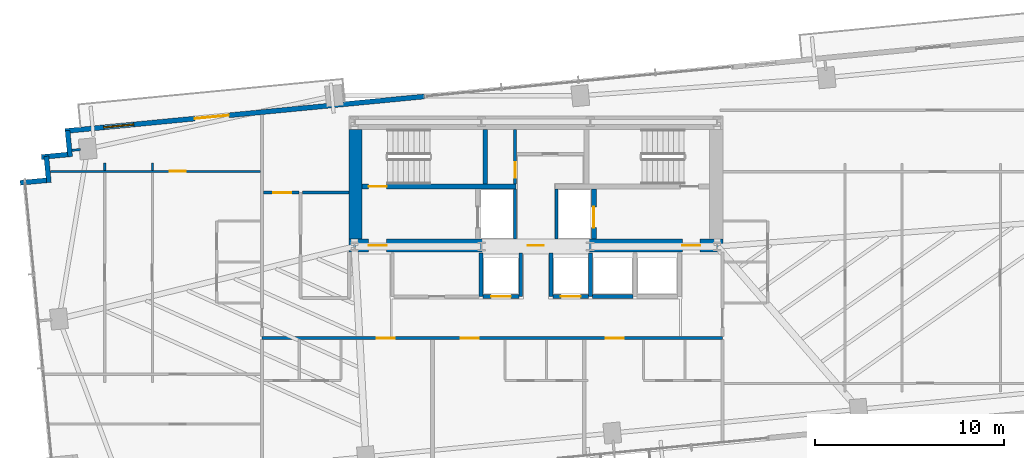
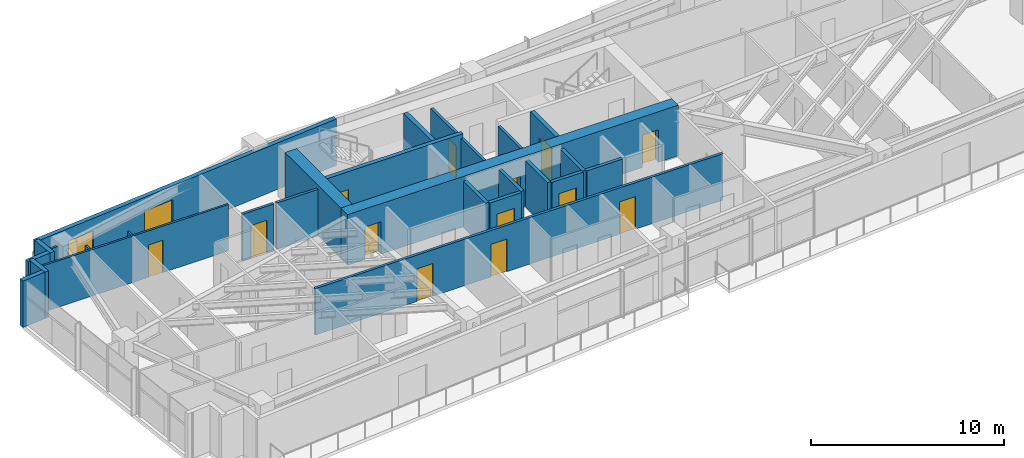
# One storey, part 20 of 25: 27 walls, 14 doors, 1 window, 15 openings.
"""IFC4 building model written with IfcOpenShell, lengths in metres."""

from ifc_helpers import new_model, si_unit, direction, frame, frame_2d, origin, place, context, subcontext, project, spatial, rectangle, extrude, source, transform, mapped, material, layer, layer_set, type_object, type_shapes, element, fill, save


model = new_model("IFC4")

# Units and contexts
model_context = context("Model", 3, precision=1e-05, world=origin(), true_north=direction((0.0, 1.0)))
body_context = subcontext(model_context, "Body", "Model", "MODEL_VIEW")
ifc_project = project(units=[si_unit("LENGTHUNIT", "METRE"), si_unit("AREAUNIT", "SQUARE_METRE"), si_unit("VOLUMEUNIT", "CUBIC_METRE"), si_unit("PLANEANGLEUNIT", "RADIAN"), si_unit("MASSUNIT", "GRAM", prefix="KILO")], contexts=[model_context])

# Site, building, storey
site_placement = place(None, origin())
site = spatial("IfcSite", under=ifc_project, at=site_placement, CompositionType="ELEMENT")
building_placement = place(site_placement, origin())
building = spatial("IfcBuilding", under=site, at=building_placement, Name="Astriad Promenade Condominiums", CompositionType="ELEMENT")
storey_placement = place(building_placement, frame((0.0, 0.0, 103.39990234375)))
storey = spatial("IfcBuildingStorey", under=building, at=storey_placement, Name="L29", CompositionType="ELEMENT", Elevation=103.39990234375)

# Wall, openings, doors
ifc_material_1 = material(Name="Concrete C60/75", Category="concrete")
ifc_layer_1 = layer(ifc_material_1, 0.699951171875)
ifc_layer_set_1 = layer_set([ifc_layer_1], Name="Concrete C60/75")
wall_type_1 = type_object("IfcWallType", Name="CW-SHEAR-700", PredefinedType="SHEAR", material=ifc_layer_set_1)
wall_1_placement = place(storey_placement, frame((26.10009765625, 17.449951171875, 0.0), z_axis=(0.0, 0.0, 1.0), x_axis=(1.0, 0.0, 0.0)))
wall_1 = element("IfcWall", 1, at=wall_1_placement, inside=storey, type_object=wall_type_1, Name="CW-CORE-S-L29", PredefinedType="SHEAR", context=body_context, shape_type="SweptSolid", body=[
    extrude(rectangle(XDim=19.7998046875, YDim=0.699951171875, at=frame_2d((9.89990234375, 0.0))), origin(), (0.0, 0.0, 1.0), 3.2001953125),
])
opening_1_placement = place(wall_1_placement, frame((1.050048828125, 0.0, 0.0)))
opening_1 = element("IfcOpeningElement", 2, at=opening_1_placement, cuts=wall_1, Name="Opening FD90-ST-095", PredefinedType="OPENING", context=body_context, shape_type="SweptSolid", body=[
    extrude(rectangle(XDim=0.949951171875, YDim=2.06005859375, at=frame_2d((0.47509765625, 1.030029296875))), frame((0.0, 0.35986328125, 0.0), z_axis=(0.0, -1.0, 0.0), x_axis=(1.0, 0.0, 0.0)), (0.0, 0.0, 1.0), 0.719970703125),
])
opening_2_placement = place(wall_1_placement, frame((9.47998046875, 0.0, 0.0)))
opening_2 = element("IfcOpeningElement", 3, at=opening_2_placement, cuts=wall_1, Name="Opening FD60-ULOW-085", PredefinedType="OPENING", context=body_context, shape_type="SweptSolid", body=[
    extrude(rectangle(XDim=0.85009765625, YDim=2.0, at=frame_2d((0.425048828125, 1.0))), frame((0.0, 0.35986328125, 0.0), z_axis=(0.0, -1.0, 0.0), x_axis=(1.0, 0.0, 0.0)), (0.0, 0.0, 1.0), 0.719970703125),
])
opening_3_placement = place(wall_1_placement, frame((17.64990234375, 0.0, 0.0)))
opening_3 = element("IfcOpeningElement", 4, at=opening_3_placement, cuts=wall_1, Name="Opening FD90-ST-095", PredefinedType="OPENING", context=body_context, shape_type="SweptSolid", body=[
    extrude(rectangle(XDim=0.949951171875, YDim=2.06005859375, at=frame_2d((0.47509765625, 1.030029296875))), frame((0.0, 0.35986328125, 0.0), z_axis=(0.0, -1.0, 0.0), x_axis=(1.0, 0.0, 0.0)), (0.0, 0.0, 1.0), 0.719970703125),
])
ifc_material_2 = material(Name="Fire-Rated Hollow Metal Stair Door")
door_type_1 = type_object("IfcDoorType", Name="FD90-ST-095", OperationType="NOTDEFINED", PredefinedType="DOOR", material=ifc_material_2)
shared_shape_1 = source(origin(), body_context, "Body", "SweptSolid", [
    extrude(rectangle(XDim=0.949951171875, YDim=2.06005859375, at=frame_2d((0.47509765625, 1.030029296875))), frame((0.0, 0.02490234375, 0.0), z_axis=(0.0, -1.0, 0.0), x_axis=(1.0, 0.0, 0.0)), (0.0, 0.0, 1.0), 0.050048828125),
])
type_shapes(door_type_1, [shared_shape_1])
door_1_placement = place(opening_1_placement, origin())
door_1 = element("IfcDoor", 5, at=door_1_placement, inside=storey, type_object=door_type_1, Name="D-FFW-L29", OperationType="SINGLE_SWING_LEFT", OverallHeight=2.06005859375, OverallWidth=0.949951171875, PredefinedType="DOOR", context=body_context, shape_type="MappedRepresentation", body=[
    mapped(shared_shape_1, transform((0.0, 0.0, 0.0), scale=1.0)),
])
fill(opening_1, door_1)
door_2_placement = place(opening_3_placement, origin())
door_2 = element("IfcDoor", 6, at=door_2_placement, inside=storey, type_object=door_type_1, Name="D-FFE-L29", OperationType="SINGLE_SWING_RIGHT", OverallHeight=2.06005859375, OverallWidth=0.949951171875, PredefinedType="DOOR", context=body_context, shape_type="MappedRepresentation", body=[
    mapped(shared_shape_1, transform((0.0, 0.0, 0.0), scale=1.0)),
])
fill(opening_3, door_2)
ifc_material_3 = material(Name="Solid-Core Low-Headroom Fire Door")
door_type_2 = type_object("IfcDoorType", Name="FD60-ULOW-085", OperationType="NOTDEFINED", PredefinedType="DOOR", material=ifc_material_3)
shared_shape_2 = source(origin(), body_context, "Body", "SweptSolid", [
    extrude(rectangle(XDim=0.85009765625, YDim=2.0, at=frame_2d((0.425048828125, 1.0))), frame((0.0, 0.02490234375, 0.0), z_axis=(0.0, -1.0, 0.0), x_axis=(1.0, 0.0, 0.0)), (0.0, 0.0, 1.0), 0.050048828125),
])
type_shapes(door_type_2, [shared_shape_2])
door_3_placement = place(opening_2_placement, origin())
door_3 = element("IfcDoor", 7, at=door_3_placement, inside=storey, type_object=door_type_2, Name="D-CSL-L29", OperationType="SINGLE_SWING_RIGHT", OverallHeight=2.0, OverallWidth=0.85009765625, PredefinedType="DOOR", context=body_context, shape_type="MappedRepresentation", body=[
    mapped(shared_shape_2, transform((0.0, 0.0, 0.0), scale=1.0)),
])
fill(opening_2, door_3)

# Wall
wall_2_placement = place(storey_placement, frame((26.449951171875, 17.802001953125, 0.0), z_axis=(0.0, 0.0, 1.0), x_axis=(0.0, 1.0, 0.0)))
element("IfcWall", 8, at=wall_2_placement, inside=storey, type_object=wall_type_1, Name="CW-CORE-W-L29", PredefinedType="SHEAR", context=body_context, shape_type="SweptSolid", body=[
    extrude(rectangle(XDim=5.7958984375, YDim=0.699951171875, at=frame_2d((2.89794921875, 0.0))), origin(), (0.0, 0.0, 1.0), 3.2001953125),
])

# Wall, opening, door
ifc_material_4 = material(Name="Concrete C50/60", Category="concrete")
ifc_layer_2 = layer(ifc_material_4, 0.25)
ifc_layer_set_2 = layer_set([ifc_layer_2], Name="Concrete C50/60")
wall_type_2 = type_object("IfcWallType", Name="WALL-CORE-INT-250", PredefinedType="SOLIDWALL", material=ifc_layer_set_2)
wall_3_placement = place(storey_placement, frame((26.802001953125, 20.574951171875, 0.0), z_axis=(0.0, 0.0, 1.0), x_axis=(1.0, 0.0, 0.0)))
wall_3 = element("IfcWall", 9, at=wall_3_placement, inside=storey, type_object=wall_type_2, Name="CW-INT-H1-L29", PredefinedType="SOLIDWALL", context=body_context, shape_type="SweptSolid", body=[
    extrude(rectangle(XDim=8.14794921875, YDim=0.25, at=frame_2d((4.073974609375, 0.0))), origin(), (0.0, 0.0, 1.0), 3.2001953125),
])
opening_4_placement = place(wall_3_placement, frame((0.347900390625, 0.0, 0.0)))
opening_4 = element("IfcOpeningElement", 10, at=opening_4_placement, cuts=wall_3, Name="Opening FD90-ST-095", PredefinedType="OPENING", context=body_context, shape_type="SweptSolid", body=[
    extrude(rectangle(XDim=0.949951171875, YDim=2.06005859375, at=frame_2d((0.47509765625, 1.030029296875))), frame((0.0, 0.135009765625, 0.0), z_axis=(0.0, -1.0, 0.0), x_axis=(1.0, 0.0, 0.0)), (0.0, 0.0, 1.0), 0.27001953125),
])
door_4_placement = place(opening_4_placement, origin())
door_4 = element("IfcDoor", 11, at=door_4_placement, inside=storey, type_object=door_type_1, Name="D-ST1-L29", OperationType="SINGLE_SWING_LEFT", OverallHeight=2.06005859375, OverallWidth=0.949951171875, PredefinedType="DOOR", context=body_context, shape_type="MappedRepresentation", body=[
    mapped(shared_shape_1, transform((0.0, 0.0, 0.0), scale=1.0)),
])
fill(opening_4, door_4)

# Wall
wall_4_placement = place(storey_placement, frame((33.324951171875, 20.701904296875, 0.0), z_axis=(0.0, 0.0, 1.0), x_axis=(0.0, 1.0, 0.0)))
element("IfcWall", 12, at=wall_4_placement, inside=storey, type_object=wall_type_2, Name="CW-ST1-E-L29", PredefinedType="SOLIDWALL", context=body_context, shape_type="SweptSolid", body=[
    extrude(rectangle(XDim=2.89599609375, YDim=0.25, at=frame_2d((1.447998046875, 0.0))), origin(), (0.0, 0.0, 1.0), 3.2001953125),
])

# Wall, opening, door
wall_5_placement = place(storey_placement, frame((39.074951171875, 17.802001953125, 0.0), z_axis=(0.0, 0.0, 1.0), x_axis=(0.0, 1.0, 0.0)))
wall_5 = element("IfcWall", 13, at=wall_5_placement, inside=storey, type_object=wall_type_2, Name="CW-FFL2-E-L29", PredefinedType="SOLIDWALL", context=body_context, shape_type="SweptSolid", body=[
    extrude(rectangle(XDim=2.64599609375, YDim=0.25, at=frame_2d((1.322998046875, 0.0))), origin(), (0.0, 0.0, 1.0), 3.2001953125),
])
opening_5_placement = place(wall_5_placement, frame((0.597900390625, 0.0, 0.0)))
opening_5 = element("IfcOpeningElement", 14, at=opening_5_placement, cuts=wall_5, Name="Opening LD-FFL-1122", PredefinedType="OPENING", context=body_context, shape_type="SweptSolid", body=[
    extrude(rectangle(XDim=1.10009765625, YDim=2.080078125, at=frame_2d((0.550048828125, 1.0400390625))), frame((0.0, 0.135009765625, 0.0), z_axis=(0.0, -1.0, 0.0), x_axis=(1.0, 0.0, 0.0)), (0.0, 0.0, 1.0), 0.27001953125),
])
ifc_material_5 = material(Name="Brushed Stainless Steel Fire Elevator Landing Door", Category="steel")
door_type_3 = type_object("IfcDoorType", Name="LD-FFL-1122", OperationType="NOTDEFINED", PredefinedType="DOOR", material=ifc_material_5)
shared_shape_3 = source(origin(), body_context, "Body", "SweptSolid", [
    extrude(rectangle(XDim=1.10009765625, YDim=2.080078125, at=frame_2d((0.550048828125, 1.0400390625))), frame((0.0, 0.02490234375, 0.0), z_axis=(0.0, -1.0, 0.0), x_axis=(1.0, 0.0, 0.0)), (0.0, 0.0, 1.0), 0.050048828125),
])
type_shapes(door_type_3, [shared_shape_3])
door_5_placement = place(opening_5_placement, origin())
door_5 = element("IfcDoor", 15, at=door_5_placement, inside=storey, type_object=door_type_3, Name="Elevator Landing Door FFL-2 (L29)", OperationType="SLIDING_TO_RIGHT", OverallHeight=2.080078125, OverallWidth=1.10009765625, PredefinedType="DOOR", context=body_context, shape_type="MappedRepresentation", body=[
    mapped(shared_shape_3, transform((0.0, 0.0, 0.0), scale=1.0)),
])
fill(opening_5, door_5)

# Walls
ifc_material_6 = material(Name="Fire-Rated Gypsum Partition")
ifc_layer_3 = layer(ifc_material_6, 0.159912109375)
ifc_layer_set_3 = layer_set([ifc_layer_3], Name="Fire-Rated Gypsum Partition")
wall_type_3 = type_object("IfcWallType", Name="WALL-CORR-160", PredefinedType="PARTITIONING", material=ifc_layer_set_3)
for number, where, z_axis, x_axis, name in (
    (16, (34.89990234375, 17.802001953125, 0.0), (0.0, 0.0, 1.0), (0.0, 1.0, 0.0), "CW-FFL1-E-L29"),
    (17, (37.10009765625, 17.802001953125, 0.0), (0.0, 0.0, 1.0), (0.0, 1.0, 0.0), "CW-FFL2-W-L29"),
):
    element("IfcWall", number, at=place(storey_placement, frame(where, z_axis=z_axis, x_axis=x_axis)), inside=storey, type_object=wall_type_3, Name=name, PredefinedType="PARTITIONING", context=body_context, shape_type="SweptSolid", body=[
        extrude(rectangle(XDim=2.64599609375, YDim=0.159912109375, at=frame_2d((1.322998046875, 0.0))), origin(), (0.0, 0.0, 1.0), 2.940185546875),
    ])

# Wall, opening, door
wall_6_placement = place(storey_placement, frame((34.89990234375, 20.701904296875, 0.0), z_axis=(0.0, 0.0, 1.0), x_axis=(0.0, 1.0, 0.0)))
wall_6 = element("IfcWall", 18, at=wall_6_placement, inside=storey, type_object=wall_type_3, Name="CW-AUX-W-L29", PredefinedType="PARTITIONING", context=body_context, shape_type="SweptSolid", body=[
    extrude(rectangle(XDim=2.89599609375, YDim=0.159912109375, at=frame_2d((1.447998046875, 0.0))), origin(), (0.0, 0.0, 1.0), 2.940185546875),
])
opening_6_placement = place(wall_6_placement, frame((0.347900390625, 0.0, 0.0)))
opening_6 = element("IfcOpeningElement", 19, at=opening_6_placement, cuts=wall_6, Name="Opening FD60-SV-080", PredefinedType="OPENING", context=body_context, shape_type="SweptSolid", body=[
    extrude(rectangle(XDim=0.800048828125, YDim=2.050048828125, at=frame_2d((0.39990234375, 1.02490234375))), frame((0.0, 0.08984375, 0.0), z_axis=(0.0, -1.0, 0.0), x_axis=(1.0, 0.0, 0.0)), (0.0, 0.0, 1.0), 0.179931640625),
])
ifc_material_7 = material(Name="Fire-Rated Riser Closet Door")
door_type_4 = type_object("IfcDoorType", Name="FD60-SV-080", OperationType="NOTDEFINED", PredefinedType="DOOR", material=ifc_material_7)
shared_shape_4 = source(origin(), body_context, "Body", "SweptSolid", [
    extrude(rectangle(XDim=0.800048828125, YDim=2.050048828125, at=frame_2d((0.39990234375, 1.02490234375))), frame((0.0, 0.02490234375, 0.0), z_axis=(0.0, -1.0, 0.0), x_axis=(1.0, 0.0, 0.0)), (0.0, 0.0, 1.0), 0.050048828125),
])
type_shapes(door_type_4, [shared_shape_4])
door_6_placement = place(opening_6_placement, origin())
door_6 = element("IfcDoor", 20, at=door_6_placement, inside=storey, type_object=door_type_4, Name="D-AUX1-L29", OperationType="SINGLE_SWING_LEFT", OverallHeight=2.050048828125, OverallWidth=0.800048828125, PredefinedType="DOOR", context=body_context, shape_type="MappedRepresentation", body=[
    mapped(shared_shape_4, transform((0.0, 0.0, 0.0), scale=1.0)),
])
fill(opening_6, door_6)

# Wall, openings, doors
wall_7_placement = place(storey_placement, frame((21.5, 12.550048828125, 0.0), z_axis=(0.0, 0.0, 1.0), x_axis=(1.0, 0.0, 0.0)))
wall_7 = element("IfcWall", 21, at=wall_7_placement, inside=storey, type_object=wall_type_3, Name="PT-COR-S-L29", PredefinedType="PARTITIONING", context=body_context, shape_type="SweptSolid", body=[
    extrude(rectangle(XDim=24.3798828125, YDim=0.159912109375, at=frame_2d((12.18994140625, 0.0))), origin(), (0.0, 0.0, 1.0), 2.940185546875),
])
opening_7_placement = place(wall_7_placement, frame((6.074951171875, 0.0, 0.0)))
opening_7 = element("IfcOpeningElement", 22, at=opening_7_placement, cuts=wall_7, Name="Opening FD60-APT-095", PredefinedType="OPENING", context=body_context, shape_type="SweptSolid", body=[
    extrude(rectangle(XDim=0.949951171875, YDim=2.06005859375, at=frame_2d((0.47509765625, 1.030029296875))), frame((0.0, 0.08984375, 0.0), z_axis=(0.0, -1.0, 0.0), x_axis=(1.0, 0.0, 0.0)), (0.0, 0.0, 1.0), 0.179931640625),
])
opening_8_placement = place(wall_7_placement, frame((10.51904296875, 0.0, 0.0)))
opening_8 = element("IfcOpeningElement", 23, at=opening_8_placement, cuts=wall_7, Name="Opening FD60-APT-095", PredefinedType="OPENING", context=body_context, shape_type="SweptSolid", body=[
    extrude(rectangle(XDim=0.949951171875, YDim=2.06005859375, at=frame_2d((0.47509765625, 1.030029296875))), frame((0.0, 0.08984375, 0.0), z_axis=(0.0, -1.0, 0.0), x_axis=(1.0, 0.0, 0.0)), (0.0, 0.0, 1.0), 0.179931640625),
])
opening_9_placement = place(wall_7_placement, frame((18.2080078125, 0.0, 0.0)))
opening_9 = element("IfcOpeningElement", 24, at=opening_9_placement, cuts=wall_7, Name="Opening FD60-APT-095", PredefinedType="OPENING", context=body_context, shape_type="SweptSolid", body=[
    extrude(rectangle(XDim=0.949951171875, YDim=2.06005859375, at=frame_2d((0.47509765625, 1.030029296875))), frame((0.0, 0.08984375, 0.0), z_axis=(0.0, -1.0, 0.0), x_axis=(1.0, 0.0, 0.0)), (0.0, 0.0, 1.0), 0.179931640625),
])
ifc_material_8 = material(Name="Solid-Core Acoustic Timber Residence Entry Door", Category="wood")
door_type_5 = type_object("IfcDoorType", Name="FD60-APT-095", OperationType="NOTDEFINED", PredefinedType="DOOR", material=ifc_material_8)
shared_shape_5 = source(origin(), body_context, "Body", "SweptSolid", [
    extrude(rectangle(XDim=0.949951171875, YDim=2.06005859375, at=frame_2d((0.47509765625, 1.030029296875))), frame((0.0, 0.02490234375, 0.0), z_axis=(0.0, -1.0, 0.0), x_axis=(1.0, 0.0, 0.0)), (0.0, 0.0, 1.0), 0.050048828125),
])
type_shapes(door_type_5, [shared_shape_5])
door_7_placement = place(opening_7_placement, origin())
door_7 = element("IfcDoor", 25, at=door_7_placement, inside=storey, type_object=door_type_5, Name="D-ENT-L29-S1", OperationType="SINGLE_SWING_RIGHT", OverallHeight=2.06005859375, OverallWidth=0.949951171875, PredefinedType="DOOR", context=body_context, shape_type="MappedRepresentation", body=[
    mapped(shared_shape_5, transform((0.0, 0.0, 0.0), scale=1.0)),
])
fill(opening_7, door_7)
door_8_placement = place(opening_8_placement, origin())
door_8 = element("IfcDoor", 26, at=door_8_placement, inside=storey, type_object=door_type_5, Name="D-ENT-L29-S2", OperationType="SINGLE_SWING_LEFT", OverallHeight=2.06005859375, OverallWidth=0.949951171875, PredefinedType="DOOR", context=body_context, shape_type="MappedRepresentation", body=[
    mapped(shared_shape_5, transform((0.0, 0.0, 0.0), scale=1.0)),
])
fill(opening_8, door_8)
door_9_placement = place(opening_9_placement, origin())
door_9 = element("IfcDoor", 27, at=door_9_placement, inside=storey, type_object=door_type_5, Name="D-ENT-L29-S3", OperationType="SINGLE_SWING_RIGHT", OverallHeight=2.06005859375, OverallWidth=0.949951171875, PredefinedType="DOOR", context=body_context, shape_type="MappedRepresentation", body=[
    mapped(shared_shape_5, transform((0.0, 0.0, 0.0), scale=1.0)),
])
fill(opening_9, door_9)

# Wall, opening, door
wall_8_placement = place(storey_placement, frame((21.58203125, 20.25, 0.0), z_axis=(0.0, 0.0, 1.0), x_axis=(1.0, 0.0, 0.0)))
wall_8 = element("IfcWall", 28, at=wall_8_placement, inside=storey, type_object=wall_type_3, Name="PT-HK-N-L29", PredefinedType="PARTITIONING", context=body_context, shape_type="SweptSolid", body=[
    extrude(rectangle(XDim=1.885986328125, YDim=0.159912109375, at=frame_2d((0.94287109375, 0.0))), origin(), (0.0, 0.0, 1.0), 2.940185546875),
])
opening_10_placement = place(wall_8_placement, frame((0.508056640625, 0.0, 0.0)))
opening_10 = element("IfcOpeningElement", 29, at=opening_10_placement, cuts=wall_8, Name="Opening FD60-APT-095", PredefinedType="OPENING", context=body_context, shape_type="SweptSolid", body=[
    extrude(rectangle(XDim=0.949951171875, YDim=2.06005859375, at=frame_2d((0.47509765625, 1.030029296875))), frame((0.0, 0.08984375, 0.0), z_axis=(0.0, -1.0, 0.0), x_axis=(1.0, 0.0, 0.0)), (0.0, 0.0, 1.0), 0.179931640625),
])
door_10_placement = place(opening_10_placement, origin())
door_10 = element("IfcDoor", 30, at=door_10_placement, inside=storey, type_object=door_type_5, Name="D-HKB-L29", OperationType="SINGLE_SWING_LEFT", OverallHeight=2.06005859375, OverallWidth=0.949951171875, PredefinedType="DOOR", context=body_context, shape_type="MappedRepresentation", body=[
    mapped(shared_shape_5, transform((0.0, 0.0, 0.0), scale=1.0)),
])
fill(opening_10, door_10)

# Walls
wall_9_placement = place(storey_placement, frame((23.632080078125, 20.25, 0.0), z_axis=(0.0, 0.0, 1.0), x_axis=(1.0, 0.0, 0.0)))
element("IfcWall", 31, at=wall_9_placement, inside=storey, type_object=wall_type_3, Name="PT-HK-N-L29-S2", PredefinedType="PARTITIONING", context=body_context, shape_type="SweptSolid", body=[
    extrude(rectangle(XDim=2.4658203125, YDim=0.159912109375, at=frame_2d((1.23291015625, 0.0))), origin(), (0.0, 0.0, 1.0), 2.940185546875),
])
ifc_material_9 = material(Name="Precast concrete C50/60", Category="concrete")
ifc_layer_4 = layer(ifc_material_9, 0.260009765625)
ifc_layer_set_4 = layer_set([ifc_layer_4], Name="Precast concrete C50/60")
wall_type_4 = type_object("IfcWallType", Name="WALL-EXT-TWR-260", PredefinedType="STANDARD", material=ifc_layer_set_4)
for number, where, z_axis, x_axis, name in (
    (32, (8.701416015625, 20.767333984375, 0.0), (0.0, 0.0, 1.0), (0.995391056452, 0.09589913835, 0.0), "W-SER-L29-04"),
    (33, (10.216796875, 20.78271484375, 0.0), (0.0, 0.0, 1.0), (-0.095725744959, 0.99540774648, 0.0), "W-SER-L29-05"),
):
    element("IfcWall", number, at=place(storey_placement, frame(where, z_axis=z_axis, x_axis=x_axis)), inside=storey, type_object=wall_type_4, Name=name, PredefinedType="STANDARD", context=body_context, shape_type="SweptSolid", body=[
        extrude(rectangle(XDim=1.39501953125, YDim=0.260009765625, at=frame_2d((0.697509765625, 0.0))), origin(), (0.0, 0.0, 1.0), 2.940185546875),
    ])
wall_10_placement = place(storey_placement, frame((9.825927734375, 22.13134765625, 0.0), z_axis=(0.0, 0.0, 1.0), x_axis=(0.995389446633, 0.095915846097, 0.0)))
element("IfcWall", 34, at=wall_10_placement, inside=storey, type_object=wall_type_4, Name="W-SER-L29-06", PredefinedType="STANDARD", context=body_context, shape_type="SweptSolid", body=[
    extrude(rectangle(XDim=1.394775390625, YDim=0.260009765625, at=frame_2d((0.697265625, 0.0))), origin(), (0.0, 0.0, 1.0), 2.940185546875),
])
wall_11_placement = place(storey_placement, frame((11.34130859375, 22.146728515625, 0.0), z_axis=(0.0, 0.0, 1.0), x_axis=(-0.09589913835, 0.995391056452, 0.0)))
element("IfcWall", 35, at=wall_11_placement, inside=storey, type_object=wall_type_4, Name="W-SER-L29-07", PredefinedType="STANDARD", context=body_context, shape_type="SweptSolid", body=[
    extrude(rectangle(XDim=1.39501953125, YDim=0.260009765625, at=frame_2d((0.697509765625, 0.0))), origin(), (0.0, 0.0, 1.0), 2.940185546875),
])

# Wall, openings, door, window
wall_12_placement = place(storey_placement, frame((11.07958984375, 23.508056640625, 0.0), z_axis=(0.0, 0.0, 1.0), x_axis=(0.995396638587, 0.095841180552, 0.0)))
wall_12 = element("IfcWall", 36, at=wall_12_placement, inside=storey, type_object=wall_type_4, Name="W-EXT-L29-N1", PredefinedType="STANDARD", context=body_context, shape_type="SweptSolid", body=[
    extrude(rectangle(XDim=19.110107421875, YDim=0.260009765625, at=frame_2d((9.55517578125, 0.0))), origin(), (0.0, 0.0, 1.0), 2.940185546875),
])
opening_11_placement = place(wall_12_placement, frame((6.89599609375, 0.0, 0.0)))
opening_11 = element("IfcOpeningElement", 37, at=opening_11_placement, cuts=wall_12, Name="Opening BD-1822-SLD", PredefinedType="OPENING", context=body_context, shape_type="SweptSolid", body=[
    extrude(rectangle(XDim=1.800048828125, YDim=2.06005859375, at=frame_2d((0.89990234375, 1.030029296875))), frame((0.0, 0.139892578125, 0.0), z_axis=(0.0, -1.0, 0.0), x_axis=(1.0, 0.0, 0.0)), (0.0, 0.0, 1.0), 0.280029296875),
])
opening_12_placement = place(wall_12_placement, frame((2.050048828125, 0.0, 0.64990234375)))
opening_12 = element("IfcOpeningElement", 38, at=opening_12_placement, cuts=wall_12, Name="Opening WIN-TWR-1620", PredefinedType="OPENING", context=body_context, shape_type="SweptSolid", body=[
    extrude(rectangle(XDim=1.60009765625, YDim=1.5, at=frame_2d((0.800048828125, 0.75))), frame((0.0, 0.139892578125, 0.0), z_axis=(0.0, -1.0, 0.0), x_axis=(1.0, 0.0, 0.0)), (0.0, 0.0, 1.0), 0.280029296875),
])
ifc_material_10 = material(Name="Thermally Broken Aluminium Sliding Balcony Door", Category="aluminium")
door_type_6 = type_object("IfcDoorType", Name="BD-1822-SLD", OperationType="NOTDEFINED", PredefinedType="DOOR", material=ifc_material_10)
shared_shape_6 = source(origin(), body_context, "Body", "SweptSolid", [
    extrude(rectangle(XDim=1.800048828125, YDim=2.06005859375, at=frame_2d((0.89990234375, 1.030029296875))), frame((0.0, 0.02490234375, 0.0), z_axis=(0.0, -1.0, 0.0), x_axis=(1.0, 0.0, 0.0)), (0.0, 0.0, 1.0), 0.050048828125),
])
type_shapes(door_type_6, [shared_shape_6])
door_11_placement = place(opening_11_placement, origin())
door_11 = element("IfcDoor", 39, at=door_11_placement, inside=storey, type_object=door_type_6, Name="BD-L29-NW", OperationType="SLIDING_TO_LEFT", OverallHeight=2.06005859375, OverallWidth=1.800048828125, PredefinedType="DOOR", context=body_context, shape_type="MappedRepresentation", body=[
    mapped(shared_shape_6, transform((0.0, 0.0, 0.0), scale=1.0)),
])
fill(opening_11, door_11)
ifc_material_11 = material(Name="Dark Tinted Triple-Glazed Aluminium Window", Category="aluminium")
window_type = type_object("IfcWindowType", Name="WIN-TWR-1620", PartitioningType="SINGLE_PANEL", PredefinedType="WINDOW", material=ifc_material_11)
shared_shape_7 = source(origin(), body_context, "Body", "SweptSolid", [
    extrude(rectangle(XDim=1.60009765625, YDim=1.5, at=frame_2d((0.800048828125, 0.75))), frame((0.0, 0.030029296875, 0.0), z_axis=(0.0, -1.0, 0.0), x_axis=(1.0, 0.0, 0.0)), (0.0, 0.0, 1.0), 0.06005859375),
])
type_shapes(window_type, [shared_shape_7])
window_placement = place(opening_12_placement, origin())
window = element("IfcWindow", 40, at=window_placement, inside=storey, type_object=window_type, Name="WIN-L29-NW", OverallHeight=1.5, OverallWidth=1.60009765625, PartitioningType="SINGLE_PANEL", PredefinedType="WINDOW", context=body_context, shape_type="MappedRepresentation", body=[
    mapped(shared_shape_7, transform((0.0, 0.0, 0.0), scale=1.0)),
])
fill(opening_12, window)

# Wall, opening, door
ifc_material_12 = material(Name="Acoustic Metal-Stud Gypsum Partition")
ifc_layer_5 = layer(ifc_material_12, 0.1201171875)
ifc_layer_set_5 = layer_set([ifc_layer_5], Name="Acoustic Metal-Stud Gypsum Partition")
wall_type_5 = type_object("IfcWallType", Name="WALL-PART-120", PredefinedType="PARTITIONING", material=ifc_layer_set_5)
wall_13_placement = place(storey_placement, frame((10.29296875, 21.37109375, 0.0), z_axis=(0.0, 0.0, 1.0), x_axis=(1.0, 0.0, 0.0)))
wall_13 = element("IfcWall", 41, at=wall_13_placement, inside=storey, type_object=wall_type_5, Name="PT-L29-W1-WDN2", PredefinedType="PARTITIONING", context=body_context, shape_type="SweptSolid", body=[
    extrude(rectangle(XDim=11.125, YDim=0.1201171875, at=frame_2d((5.5625, 0.0))), origin(), (0.0, 0.0, 1.0), 2.940185546875),
])
opening_13_placement = place(wall_13_placement, frame((6.330078125, 0.0, 0.0)))
opening_13 = element("IfcOpeningElement", 42, at=opening_13_placement, cuts=wall_13, Name="Opening D-INT-085", PredefinedType="OPENING", context=body_context, shape_type="SweptSolid", body=[
    extrude(rectangle(XDim=0.85009765625, YDim=2.050048828125, at=frame_2d((0.425048828125, 1.02490234375))), frame((0.0, 0.070068359375, 0.0), z_axis=(0.0, -1.0, 0.0), x_axis=(1.0, 0.0, 0.0)), (0.0, 0.0, 1.0), 0.14013671875),
])
ifc_material_13 = material(Name="Painted Solid-Core Timber Room Door", Category="wood")
door_type_7 = type_object("IfcDoorType", Name="D-INT-085", OperationType="NOTDEFINED", PredefinedType="DOOR", material=ifc_material_13)
shared_shape_8 = source(origin(), body_context, "Body", "SweptSolid", [
    extrude(rectangle(XDim=0.85009765625, YDim=2.050048828125, at=frame_2d((0.425048828125, 1.02490234375))), frame((0.0, 0.02490234375, 0.0), z_axis=(0.0, -1.0, 0.0), x_axis=(1.0, 0.0, 0.0)), (0.0, 0.0, 1.0), 0.050048828125),
])
type_shapes(door_type_7, [shared_shape_8])
door_12_placement = place(opening_13_placement, origin())
door_12 = element("IfcDoor", 43, at=door_12_placement, inside=storey, type_object=door_type_7, Name="D-WDN2-L29-W1", OperationType="SINGLE_SWING_LEFT", OverallHeight=2.050048828125, OverallWidth=0.85009765625, PredefinedType="DOOR", context=body_context, shape_type="MappedRepresentation", body=[
    mapped(shared_shape_8, transform((0.0, 0.0, 0.0), scale=1.0)),
])
fill(opening_13, door_12)

# Walls
for number, where, z_axis, x_axis, name in (
    (44, (13.175048828125, 21.43310546875, 0.0), (0.0, 0.0, 1.0), (0.0, 1.0, 0.0), "PT-L29-W1-WDV4-S3"),
    (45, (15.697998046875, 21.43310546875, 0.0), (0.0, 0.0, 1.0), (0.0, 1.0, 0.0), "PT-L29-W1-WDV5-S3"),
):
    element("IfcWall", number, at=place(storey_placement, frame(where, z_axis=z_axis, x_axis=x_axis)), inside=storey, type_object=wall_type_5, Name=name, PredefinedType="PARTITIONING", context=body_context, shape_type="SweptSolid", body=[
        extrude(rectangle(XDim=0.3779296875, YDim=0.1201171875, at=frame_2d((0.18896484375, 0.0))), origin(), (0.0, 0.0, 1.0), 2.940185546875),
    ])
wall_14_placement = place(storey_placement, frame((11.89697265625, 22.53173828125, 0.0), z_axis=(0.0, 0.0, 1.0), x_axis=(-0.995384576284, -0.09596637586, 0.0)))
element("IfcWall", 46, at=wall_14_placement, inside=storey, type_object=wall_type_5, Name="PT-PIL-L29-PC06-13", PredefinedType="PARTITIONING", context=body_context, shape_type="SweptSolid", body=[
    extrude(rectangle(XDim=0.4580078125, YDim=0.1201171875, at=frame_2d((0.22900390625, 0.0))), origin(), (0.0, 0.0, 1.0), 2.940185546875),
])
ifc_material_14 = material(Name="Gypsum Shaftliner Assembly")
ifc_layer_6 = layer(ifc_material_14, 0.199951171875)
ifc_layer_set_6 = layer_set([ifc_layer_6], Name="Gypsum Shaftliner Assembly")
wall_type_6 = type_object("IfcWallType", Name="WALL-SHAFT-200", PredefinedType="PARTITIONING", material=ifc_layer_set_6)
for number, where, z_axis, x_axis, name in (
    (47, (33.10009765625, 14.75, 0.0), (0.0, 0.0, 1.0), (0.0, 1.0, 0.0), "REC-L-E-L29"),
    (48, (35.199951171875, 14.75, 0.0), (0.0, 0.0, 1.0), (0.0, 1.0, 0.0), "PL-M1-E-L29"),
):
    element("IfcWall", number, at=place(storey_placement, frame(where, z_axis=z_axis, x_axis=x_axis)), inside=storey, type_object=wall_type_6, Name=name, PredefinedType="PARTITIONING", context=body_context, shape_type="SweptSolid", body=[
        extrude(rectangle(XDim=2.300048828125, YDim=0.199951171875, at=frame_2d((1.14990234375, 0.0))), origin(), (0.0, 0.0, 1.0), 2.940185546875),
    ])

# Wall, opening, door
wall_15_placement = place(storey_placement, frame((33.201904296875, 14.75, 0.0), z_axis=(0.0, 0.0, 1.0), x_axis=(1.0, 0.0, 0.0)))
wall_15 = element("IfcWall", 49, at=wall_15_placement, inside=storey, type_object=wall_type_6, Name="PL-M1-F-L29", PredefinedType="PARTITIONING", context=body_context, shape_type="SweptSolid", body=[
    extrude(rectangle(XDim=1.89599609375, YDim=0.199951171875, at=frame_2d((0.947998046875, 0.0))), origin(), (0.0, 0.0, 1.0), 2.940185546875),
])
opening_14_placement = place(wall_15_placement, frame((0.423095703125, 0.0, 0.0)))
opening_14 = element("IfcOpeningElement", 50, at=opening_14_placement, cuts=wall_15, Name="Opening LD-PL-10522", PredefinedType="OPENING", context=body_context, shape_type="SweptSolid", body=[
    extrude(rectangle(XDim=1.050048828125, YDim=2.080078125, at=frame_2d((0.52490234375, 1.0400390625))), frame((0.0, 0.10986328125, 0.0), z_axis=(0.0, -1.0, 0.0), x_axis=(1.0, 0.0, 0.0)), (0.0, 0.0, 1.0), 0.219970703125),
])
ifc_material_15 = material(Name="Brushed Bronze Passenger Elevator Landing Door")
door_type_8 = type_object("IfcDoorType", Name="LD-PL-10522", OperationType="NOTDEFINED", PredefinedType="DOOR", material=ifc_material_15)
shared_shape_9 = source(origin(), body_context, "Body", "SweptSolid", [
    extrude(rectangle(XDim=1.050048828125, YDim=2.080078125, at=frame_2d((0.52490234375, 1.0400390625))), frame((0.0, 0.02490234375, 0.0), z_axis=(0.0, -1.0, 0.0), x_axis=(1.0, 0.0, 0.0)), (0.0, 0.0, 1.0), 0.050048828125),
])
type_shapes(door_type_8, [shared_shape_9])
door_13_placement = place(opening_14_placement, origin())
door_13 = element("IfcDoor", 51, at=door_13_placement, inside=storey, type_object=door_type_8, Name="Elevator Landing Door PL-M1 (L29)", OperationType="SLIDING_TO_LEFT", OverallHeight=2.080078125, OverallWidth=1.050048828125, PredefinedType="DOOR", context=body_context, shape_type="MappedRepresentation", body=[
    mapped(shared_shape_9, transform((0.0, 0.0, 0.0), scale=1.0)),
])
fill(opening_14, door_13)

# Walls
for number, where, z_axis, x_axis, name in (
    (52, (36.800048828125, 14.75, 0.0), (0.0, 0.0, 1.0), (0.0, 1.0, 0.0), "PL-M2-W-L29"),
    (53, (38.89990234375, 14.75, 0.0), (0.0, 0.0, 1.0), (0.0, 1.0, 0.0), "PL-MH-DIV-L29"),
):
    element("IfcWall", number, at=place(storey_placement, frame(where, z_axis=z_axis, x_axis=x_axis)), inside=storey, type_object=wall_type_6, Name=name, PredefinedType="PARTITIONING", context=body_context, shape_type="SweptSolid", body=[
        extrude(rectangle(XDim=2.300048828125, YDim=0.199951171875, at=frame_2d((1.14990234375, 0.0))), origin(), (0.0, 0.0, 1.0), 2.940185546875),
    ])

# Wall, opening, door
wall_16_placement = place(storey_placement, frame((36.902099609375, 14.75, 0.0), z_axis=(0.0, 0.0, 1.0), x_axis=(1.0, 0.0, 0.0)))
wall_16 = element("IfcWall", 54, at=wall_16_placement, inside=storey, type_object=wall_type_6, Name="PL-M2-F-L29", PredefinedType="PARTITIONING", context=body_context, shape_type="SweptSolid", body=[
    extrude(rectangle(XDim=1.89599609375, YDim=0.199951171875, at=frame_2d((0.947998046875, 0.0))), origin(), (0.0, 0.0, 1.0), 2.940185546875),
])
opening_15_placement = place(wall_16_placement, frame((0.423095703125, 0.0, 0.0)))
opening_15 = element("IfcOpeningElement", 55, at=opening_15_placement, cuts=wall_16, Name="Opening LD-PL-10522", PredefinedType="OPENING", context=body_context, shape_type="SweptSolid", body=[
    extrude(rectangle(XDim=1.050048828125, YDim=2.080078125, at=frame_2d((0.52490234375, 1.0400390625))), frame((0.0, 0.10986328125, 0.0), z_axis=(0.0, -1.0, 0.0), x_axis=(1.0, 0.0, 0.0)), (0.0, 0.0, 1.0), 0.219970703125),
])
door_14_placement = place(opening_15_placement, origin())
door_14 = element("IfcDoor", 56, at=door_14_placement, inside=storey, type_object=door_type_8, Name="Elevator Landing Door PL-M2 (L29)", OperationType="SLIDING_TO_RIGHT", OverallHeight=2.080078125, OverallWidth=1.050048828125, PredefinedType="DOOR", context=body_context, shape_type="MappedRepresentation", body=[
    mapped(shared_shape_9, transform((0.0, 0.0, 0.0), scale=1.0)),
])
fill(opening_15, door_14)

# Wall
wall_17_placement = place(storey_placement, frame((39.001953125, 14.75, 0.0), z_axis=(0.0, 0.0, 1.0), x_axis=(1.0, 0.0, 0.0)))
element("IfcWall", 57, at=wall_17_placement, inside=storey, type_object=wall_type_6, Name="PL-H-FRT-L29", PredefinedType="PARTITIONING", context=body_context, shape_type="SweptSolid", body=[
    extrude(rectangle(XDim=2.14599609375, YDim=0.199951171875, at=frame_2d((1.072998046875, 0.0))), origin(), (0.0, 0.0, 1.0), 2.940185546875),
])

save(model, "model.ifc")
